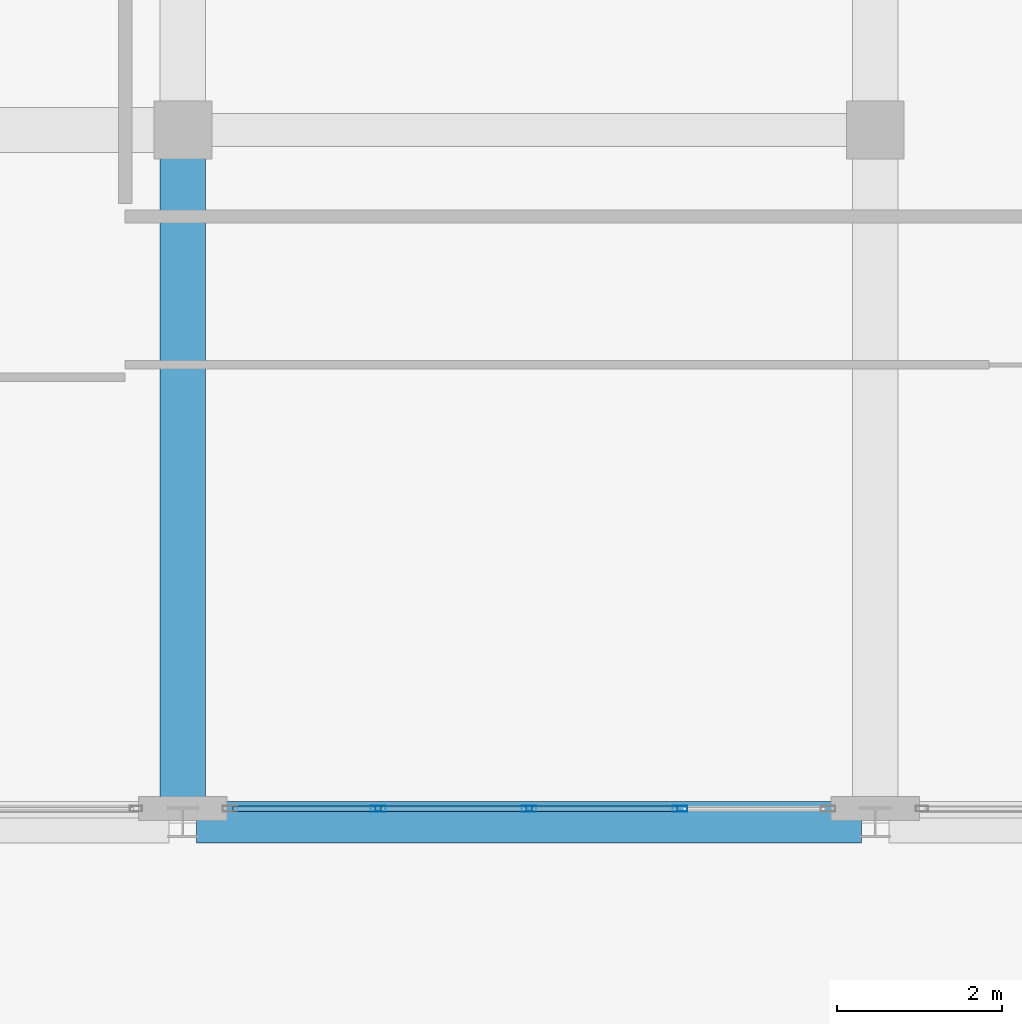
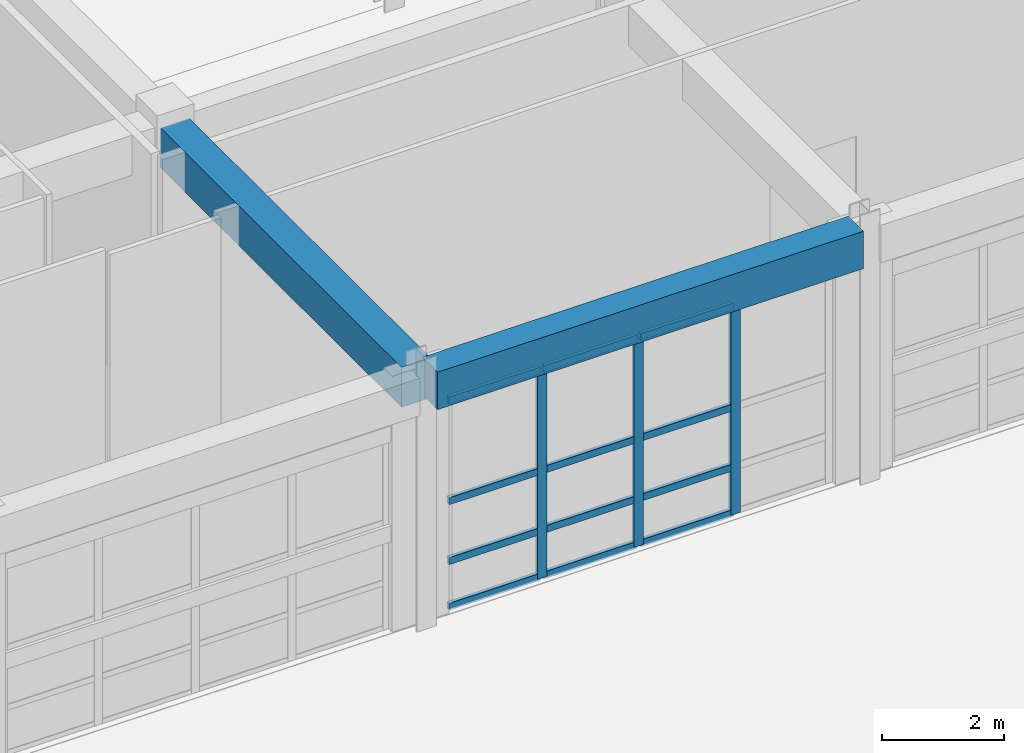
# One storey, part 46 of 148: 15 members, 2 beams, 1 element without a shape of its own.
"""IFC4 building model written with IfcOpenShell, lengths in metres."""

from ifc_helpers import new_model, si_unit, direction, frame, origin, origin_2d, place, context, subcontext, project, spatial, rectangle, hollow_rectangle, extrude, material, layer, layer_set, material_profile, profile_set, type_object, element, aggregate, save


model = new_model("IFC4")

# Units and contexts
model_context = context("Model", 3, precision=1e-05, world=origin(), true_north=direction((0.0, 1.0)))
body_context = subcontext(model_context, "Body", "Model", "MODEL_VIEW")
ifc_project = project(units=[si_unit("LENGTHUNIT", "METRE"), si_unit("AREAUNIT", "SQUARE_METRE"), si_unit("VOLUMEUNIT", "CUBIC_METRE"), si_unit("PLANEANGLEUNIT", "RADIAN"), si_unit("MASSUNIT", "GRAM", prefix="KILO")], contexts=[model_context])

# Site, building, storey
site_placement = place(None, origin())
site = spatial("IfcSite", under=ifc_project, at=site_placement, CompositionType="ELEMENT")
building_placement = place(site_placement, origin())
building = spatial("IfcBuilding", under=site, at=building_placement, Name="Quendrovan Civic Courthouse", CompositionType="ELEMENT")
storey_placement = place(building_placement, origin())
storey = spatial("IfcBuildingStorey", under=building, at=storey_placement, Name="L01", CompositionType="ELEMENT", Elevation=0.0)

# Beams
ifc_material_1 = material(Name="Concrete C40/50", Category="concrete")
ifc_material_profile_1 = material_profile(ifc_material_1, rectangle(XDim=0.5, YDim=0.75, at=origin_2d()), Name="RC-BM-500x750")
ifc_profile_set_1 = profile_set([ifc_material_profile_1], Name="Concrete C40/50")
beam_type_1 = type_object("IfcBeamType", Name="BM-RC750", PredefinedType="SPANDREL", material=ifc_profile_set_1)
beam_1_placement = place(storey_placement, frame((42.1669921875, 64.800048828125, 4.7451171875), z_axis=(1.0, 0.0, 0.0), x_axis=(0.0, 1.0, 0.0)))
element("IfcBeam", 1, at=beam_1_placement, inside=storey, type_object=beam_type_1, Name="L01 Girder X0290", PredefinedType="SPANDREL", context=body_context, shape_type="SweptSolid", body=[
    extrude(rectangle(XDim=0.5, YDim=0.75, at=origin_2d()), origin(), (0.0, 0.0, 1.0), 8.06591796875),
])
ifc_material_profile_2 = material_profile(ifc_material_1, rectangle(XDim=0.550048828125, YDim=0.800048828125, at=origin_2d()), Name="RC-BM-550x800")
ifc_profile_set_2 = profile_set([ifc_material_profile_2], Name="Concrete C40/50")
beam_type_2 = type_object("IfcBeamType", Name="BM-RC800", PredefinedType="BEAM", material=ifc_profile_set_2)
beam_2_placement = place(storey_placement, frame((42.0, 64.966064453125, 4.719970703125), z_axis=(0.0, 1.0, 0.0), x_axis=(-1.0, 0.0, 0.0)))
element("IfcBeam", 2, at=beam_2_placement, inside=storey, type_object=beam_type_2, Name="L01 Girder Y0412", PredefinedType="BEAM", context=body_context, shape_type="SweptSolid", body=[
    extrude(rectangle(XDim=0.550048828125, YDim=0.800048828125, at=origin_2d()), origin(), (0.0, 0.0, 1.0), 7.904052734375),
])

# Curtain wall, members
ifc_material_2 = material(Name="Bronze anodised aluminium and low-E glass", Category="aluminium")
ifc_layer = layer(ifc_material_2, 0.179931640625, Name="Bronze anodised aluminium and low-E glass")
ifc_layer_set = layer_set([ifc_layer], Name="Bronze anodised aluminium and low-E glass")
curtain_wall_type = type_object("IfcCurtainWallType", Name="CW-U73x42", PredefinedType="USERDEFINED", material=ifc_layer_set)
curtain_wall_placement = place(storey_placement, origin())
curtain_wall = element("IfcCurtainWall", 3, at=curtain_wall_placement, inside=storey, type_object=curtain_wall_type, Name="L01 Unitised Hurricane Curtain Wall CW-064", ObjectType="UNITISED CURTAIN WALL", PredefinedType="USERDEFINED")
ifc_material_3 = material(Name="Bronze anodised aluminium", Category="aluminium")
ifc_material_profile_3 = material_profile(ifc_material_3, hollow_rectangle(XDim=0.070068359375, YDim=0.179931640625, WallThickness=0.00390625, at=origin_2d()), Name="CW-MULL-70x180")
ifc_profile_set_3 = profile_set([ifc_material_profile_3], Name="Bronze anodised aluminium")
member_type_1 = type_object("IfcMemberType", Name="CW-MULL-A", PredefinedType="MULLION", material=ifc_profile_set_3)
member_1_placement = place(storey_placement, frame((48.031494140625, 64.965087890625, 0.0), z_axis=(0.0, 0.0, 1.0), x_axis=(0.0, -1.0, 0.0)))
member_1 = element("IfcMember", 4, at=member_1_placement, type_object=member_type_1, Name="CW-064 mullion 2", PredefinedType="MULLION", context=body_context, shape_type="SweptSolid", body=[
    extrude(hollow_rectangle(XDim=0.070068359375, YDim=0.179931640625, WallThickness=0.00390625, at=origin_2d()), origin(), (0.0, 0.0, 1.0), 4.199951171875),
])
member_2_placement = place(storey_placement, frame((46.199951171875, 64.965087890625, 0.0), z_axis=(0.0, 0.0, 1.0), x_axis=(0.0, -1.0, 0.0)))
member_2 = element("IfcMember", 5, at=member_2_placement, type_object=member_type_1, Name="CW-064 mullion 3", PredefinedType="MULLION", context=body_context, shape_type="SweptSolid", body=[
    extrude(hollow_rectangle(XDim=0.070068359375, YDim=0.179931640625, WallThickness=0.00390625, at=origin_2d()), origin(), (0.0, 0.0, 1.0), 4.199951171875),
])
member_3_placement = place(storey_placement, frame((44.368408203125, 64.965087890625, 0.0), z_axis=(0.0, 0.0, 1.0), x_axis=(0.0, -1.0, 0.0)))
member_3 = element("IfcMember", 6, at=member_3_placement, type_object=member_type_1, Name="CW-064 mullion 4", PredefinedType="MULLION", context=body_context, shape_type="SweptSolid", body=[
    extrude(hollow_rectangle(XDim=0.070068359375, YDim=0.179931640625, WallThickness=0.00390625, at=origin_2d()), origin(), (0.0, 0.0, 1.0), 4.199951171875),
])
ifc_material_profile_4 = material_profile(ifc_material_3, hollow_rectangle(XDim=0.070068359375, YDim=0.139892578125, WallThickness=0.00390625, at=origin_2d()), Name="CW-TRAN-70x140")
ifc_profile_set_4 = profile_set([ifc_material_profile_4], Name="Bronze anodised aluminium")
member_type_2 = type_object("IfcMemberType", Name="CW-TRAN-A", PredefinedType="USERDEFINED", material=ifc_profile_set_4)
member_4_placement = place(storey_placement, frame((47.99658203125, 64.965087890625, 0.034912109375), z_axis=(-1.0, 0.0, 0.0), x_axis=(0.0, -1.0, 0.0)))
member_4 = element("IfcMember", 7, at=member_4_placement, type_object=member_type_2, Name="CW-064 transom 2.1", ObjectType="TRANSOM", PredefinedType="USERDEFINED", context=body_context, shape_type="SweptSolid", body=[
    extrude(hollow_rectangle(XDim=0.070068359375, YDim=0.139892578125, WallThickness=0.00390625, at=origin_2d()), origin(), (0.0, 0.0, 1.0), 1.761474609375),
])
member_5_placement = place(storey_placement, frame((47.99658203125, 64.965087890625, 0.949951171875), z_axis=(-1.0, 0.0, 0.0), x_axis=(0.0, -1.0, 0.0)))
member_5 = element("IfcMember", 8, at=member_5_placement, type_object=member_type_2, Name="CW-064 transom 2.2", ObjectType="TRANSOM", PredefinedType="USERDEFINED", context=body_context, shape_type="SweptSolid", body=[
    extrude(hollow_rectangle(XDim=0.070068359375, YDim=0.139892578125, WallThickness=0.00390625, at=origin_2d()), origin(), (0.0, 0.0, 1.0), 1.761474609375),
])
member_6_placement = place(storey_placement, frame((47.99658203125, 64.965087890625, 2.14990234375), z_axis=(-1.0, 0.0, 0.0), x_axis=(0.0, -1.0, 0.0)))
member_6 = element("IfcMember", 9, at=member_6_placement, type_object=member_type_2, Name="CW-064 transom 2.3", ObjectType="TRANSOM", PredefinedType="USERDEFINED", context=body_context, shape_type="SweptSolid", body=[
    extrude(hollow_rectangle(XDim=0.070068359375, YDim=0.139892578125, WallThickness=0.00390625, at=origin_2d()), origin(), (0.0, 0.0, 1.0), 1.761474609375),
])
member_7_placement = place(storey_placement, frame((47.99658203125, 64.965087890625, 4.1650390625), z_axis=(-1.0, 0.0, 0.0), x_axis=(0.0, -1.0, 0.0)))
member_7 = element("IfcMember", 10, at=member_7_placement, type_object=member_type_2, Name="CW-064 transom 2.4", ObjectType="TRANSOM", PredefinedType="USERDEFINED", context=body_context, shape_type="SweptSolid", body=[
    extrude(hollow_rectangle(XDim=0.070068359375, YDim=0.139892578125, WallThickness=0.00390625, at=origin_2d()), origin(), (0.0, 0.0, 1.0), 1.761474609375),
])
member_8_placement = place(storey_placement, frame((46.1650390625, 64.965087890625, 0.034912109375), z_axis=(-1.0, 0.0, 0.0), x_axis=(0.0, -1.0, 0.0)))
member_8 = element("IfcMember", 11, at=member_8_placement, type_object=member_type_2, Name="CW-064 transom 3.1", ObjectType="TRANSOM", PredefinedType="USERDEFINED", context=body_context, shape_type="SweptSolid", body=[
    extrude(hollow_rectangle(XDim=0.070068359375, YDim=0.139892578125, WallThickness=0.00390625, at=origin_2d()), origin(), (0.0, 0.0, 1.0), 1.761474609375),
])
member_9_placement = place(storey_placement, frame((46.1650390625, 64.965087890625, 0.949951171875), z_axis=(-1.0, 0.0, 0.0), x_axis=(0.0, -1.0, 0.0)))
member_9 = element("IfcMember", 12, at=member_9_placement, type_object=member_type_2, Name="CW-064 transom 3.2", ObjectType="TRANSOM", PredefinedType="USERDEFINED", context=body_context, shape_type="SweptSolid", body=[
    extrude(hollow_rectangle(XDim=0.070068359375, YDim=0.139892578125, WallThickness=0.00390625, at=origin_2d()), origin(), (0.0, 0.0, 1.0), 1.761474609375),
])
member_10_placement = place(storey_placement, frame((46.1650390625, 64.965087890625, 2.14990234375), z_axis=(-1.0, 0.0, 0.0), x_axis=(0.0, -1.0, 0.0)))
member_10 = element("IfcMember", 13, at=member_10_placement, type_object=member_type_2, Name="CW-064 transom 3.3", ObjectType="TRANSOM", PredefinedType="USERDEFINED", context=body_context, shape_type="SweptSolid", body=[
    extrude(hollow_rectangle(XDim=0.070068359375, YDim=0.139892578125, WallThickness=0.00390625, at=origin_2d()), origin(), (0.0, 0.0, 1.0), 1.761474609375),
])
member_11_placement = place(storey_placement, frame((46.1650390625, 64.965087890625, 4.1650390625), z_axis=(-1.0, 0.0, 0.0), x_axis=(0.0, -1.0, 0.0)))
member_11 = element("IfcMember", 14, at=member_11_placement, type_object=member_type_2, Name="CW-064 transom 3.4", ObjectType="TRANSOM", PredefinedType="USERDEFINED", context=body_context, shape_type="SweptSolid", body=[
    extrude(hollow_rectangle(XDim=0.070068359375, YDim=0.139892578125, WallThickness=0.00390625, at=origin_2d()), origin(), (0.0, 0.0, 1.0), 1.761474609375),
])
member_12_placement = place(storey_placement, frame((44.33349609375, 64.965087890625, 0.034912109375), z_axis=(-1.0, 0.0, 0.0), x_axis=(0.0, -1.0, 0.0)))
member_12 = element("IfcMember", 15, at=member_12_placement, type_object=member_type_2, Name="CW-064 transom 4.1", ObjectType="TRANSOM", PredefinedType="USERDEFINED", context=body_context, shape_type="SweptSolid", body=[
    extrude(hollow_rectangle(XDim=0.070068359375, YDim=0.139892578125, WallThickness=0.00390625, at=origin_2d()), origin(), (0.0, 0.0, 1.0), 1.7265625),
])
member_13_placement = place(storey_placement, frame((44.33349609375, 64.965087890625, 0.949951171875), z_axis=(-1.0, 0.0, 0.0), x_axis=(0.0, -1.0, 0.0)))
member_13 = element("IfcMember", 16, at=member_13_placement, type_object=member_type_2, Name="CW-064 transom 4.2", ObjectType="TRANSOM", PredefinedType="USERDEFINED", context=body_context, shape_type="SweptSolid", body=[
    extrude(hollow_rectangle(XDim=0.070068359375, YDim=0.139892578125, WallThickness=0.00390625, at=origin_2d()), origin(), (0.0, 0.0, 1.0), 1.7265625),
])
member_14_placement = place(storey_placement, frame((44.33349609375, 64.965087890625, 2.14990234375), z_axis=(-1.0, 0.0, 0.0), x_axis=(0.0, -1.0, 0.0)))
member_14 = element("IfcMember", 17, at=member_14_placement, type_object=member_type_2, Name="CW-064 transom 4.3", ObjectType="TRANSOM", PredefinedType="USERDEFINED", context=body_context, shape_type="SweptSolid", body=[
    extrude(hollow_rectangle(XDim=0.070068359375, YDim=0.139892578125, WallThickness=0.00390625, at=origin_2d()), origin(), (0.0, 0.0, 1.0), 1.7265625),
])
member_15_placement = place(storey_placement, frame((44.33349609375, 64.965087890625, 4.1650390625), z_axis=(-1.0, 0.0, 0.0), x_axis=(0.0, -1.0, 0.0)))
member_15 = element("IfcMember", 18, at=member_15_placement, type_object=member_type_2, Name="CW-064 transom 4.4", ObjectType="TRANSOM", PredefinedType="USERDEFINED", context=body_context, shape_type="SweptSolid", body=[
    extrude(hollow_rectangle(XDim=0.070068359375, YDim=0.139892578125, WallThickness=0.00390625, at=origin_2d()), origin(), (0.0, 0.0, 1.0), 1.7265625),
])
aggregate(curtain_wall, [member_1, member_2, member_3, member_4, member_5, member_6, member_7, member_8, member_9, member_10, member_11, member_12, member_13, member_14, member_15])

save(model, "model.ifc")
